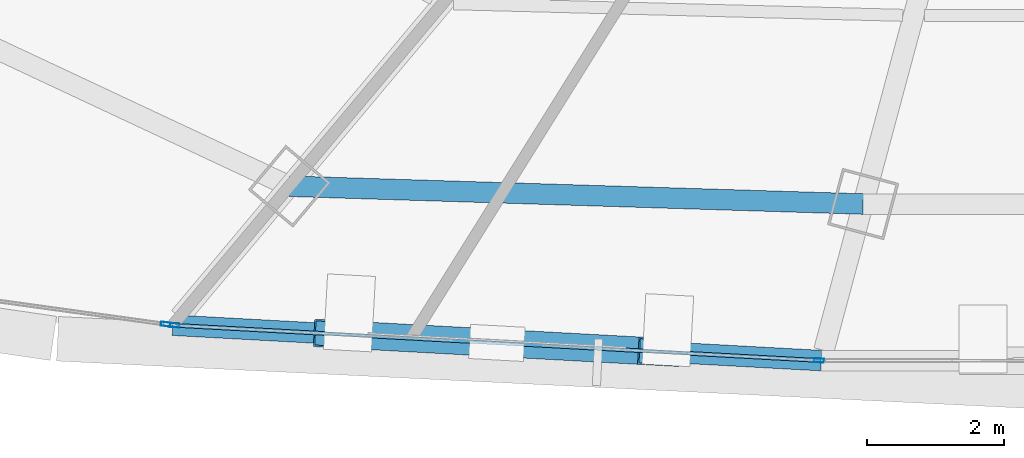
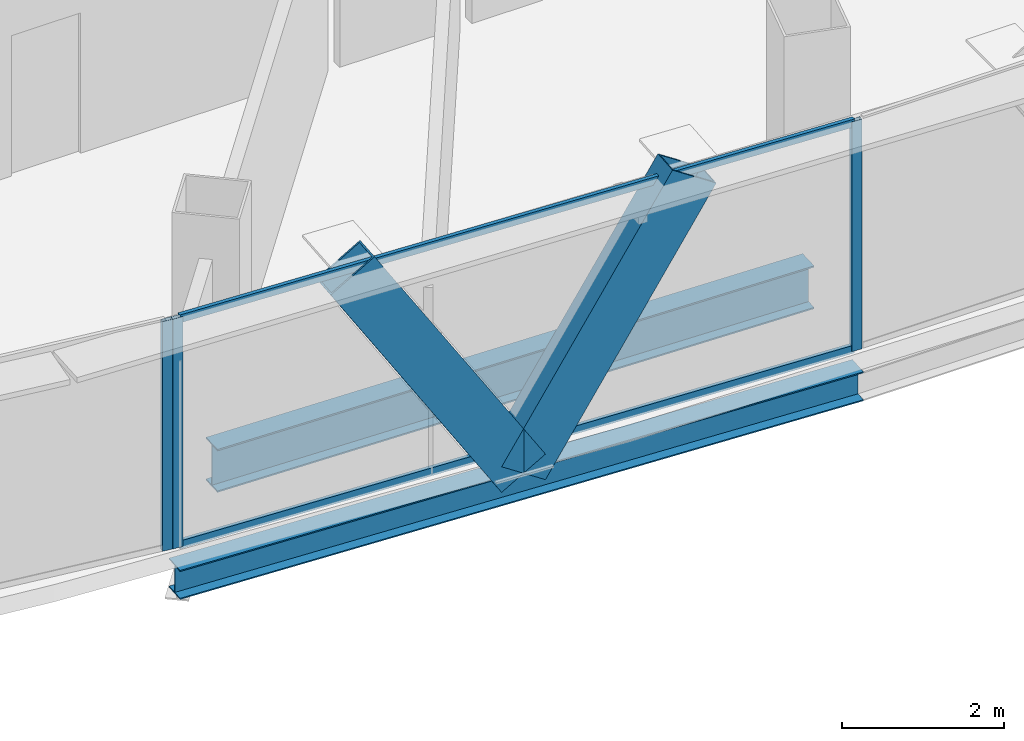
# One storey, part 6 of 36: 7 members, 2 beams, 2 elements without a shape of their own.
"""IFC4 building model written with IfcOpenShell, lengths in metres."""

from ifc_helpers import new_model, si_unit, direction, frame, origin, origin_2d, place, context, subcontext, project, spatial, hollow_rectangle, i_section, extrude, source, transform, mapped, material, layer, layer_set, material_profile, profile_set, type_object, element, aggregate, save


model = new_model("IFC4")

# Units and contexts
model_context = context("Model", 3, precision=1e-05, world=origin(), true_north=direction((0.0, 1.0)))
body_context = subcontext(model_context, "Body", "Model", "MODEL_VIEW")
ifc_project = project(units=[si_unit("LENGTHUNIT", "METRE"), si_unit("AREAUNIT", "SQUARE_METRE"), si_unit("VOLUMEUNIT", "CUBIC_METRE"), si_unit("PLANEANGLEUNIT", "RADIAN"), si_unit("MASSUNIT", "GRAM", prefix="KILO"), si_unit("THERMODYNAMICTEMPERATUREUNIT", "KELVIN"), si_unit("POWERUNIT", "WATT")], contexts=[model_context])

# Site, building, storey
site_placement = place(None, origin())
site = spatial("IfcSite", under=ifc_project, at=site_placement, CompositionType="ELEMENT")
building_placement = place(site_placement, origin())
building = spatial("IfcBuilding", under=site, at=building_placement, Name="Yunzhuo Pagoda Commons", CompositionType="ELEMENT")
storey_placement = place(building_placement, frame((0.0, 0.0, 248.260009765625)))
storey = spatial("IfcBuildingStorey", under=building, at=storey_placement, Name="L62", CompositionType="ELEMENT", Elevation=248.260009765625)

# Beams
ifc_material_1 = material(Name="Structural steel Q355B", Category="steel")
ifc_material_profile_1 = material_profile(ifc_material_1, i_section(OverallWidth=0.300048828125, OverallDepth=0.64990234375, WebThickness=0.012939453125, FlangeThickness=0.02197265625, at=origin_2d()), Name="Structural steel Q355B")
ifc_profile_set_1 = profile_set([ifc_material_profile_1], Name="Structural steel Q355B")
beam_type_1 = type_object("IfcBeamType", Name="B-RG2 Beam HN 650x300x13x22", PredefinedType="BEAM", material=ifc_profile_set_1)
shared_shape_1 = source(origin(), body_context, "Body", "SweptSolid", [
    extrude(i_section(OverallWidth=0.300048828125, OverallDepth=0.64990234375, WebThickness=0.012939453125, FlangeThickness=0.02197265625, at=origin_2d()), origin(), (0.0, 0.0, 1.0), 8.37939453125),
])
beam_1_placement = place(storey_placement, frame((35.593017578125, 18.913818359375, -0.5849609375), z_axis=(0.999519382133, -0.031000076447, 0.0), x_axis=(0.031000076447, 0.999519382133, 0.0)))
element("IfcBeam", 1, at=beam_1_placement, inside=storey, type_object=beam_type_1, Name="L62 column-ring beam 1", PredefinedType="BEAM", context=body_context, shape_type="MappedRepresentation", body=[
    mapped(shared_shape_1, transform((0.0, 0.0, 0.0), scale=1.0)),
])
ifc_material_profile_2 = material_profile(ifc_material_1, i_section(OverallWidth=0.300048828125, OverallDepth=0.43994140625, WebThickness=0.010986328125, FlangeThickness=0.01806640625, at=origin_2d()), Name="Structural steel Q355B")
ifc_profile_set_2 = profile_set([ifc_material_profile_2], Name="Structural steel Q355B")
beam_type_2 = type_object("IfcBeamType", Name="B-SP2 Beam HM 440x300x11x18", PredefinedType="BEAM", material=ifc_profile_set_2)
shared_shape_2 = source(origin(), body_context, "Body", "SweptSolid", [
    extrude(i_section(OverallWidth=0.300048828125, OverallDepth=0.43994140625, WebThickness=0.010986328125, FlangeThickness=0.01806640625, at=origin_2d()), origin(), (0.0, 0.0, 1.0), 9.4794921875),
])
beam_2_placement = place(storey_placement, frame((33.890869140625, 16.88525390625, -0.47998046875), z_axis=(0.998513924763, -0.054497174743, 0.0), x_axis=(0.054497174743, 0.998513924763, 0.0)))
element("IfcBeam", 2, at=beam_2_placement, inside=storey, type_object=beam_type_2, Name="L62 facade edge spandrel beam F1.1", PredefinedType="BEAM", context=body_context, shape_type="MappedRepresentation", body=[
    mapped(shared_shape_2, transform((0.0, 0.0, 0.0), scale=1.0)),
])

# Members
ifc_material_profile_3 = material_profile(ifc_material_1, hollow_rectangle(XDim=0.39990234375, YDim=0.719970703125, WallThickness=0.02392578125, at=origin_2d()), Name="Structural steel Q355B")
ifc_profile_set_3 = profile_set([ifc_material_profile_3], Name="Structural steel Q355B")
member_type_1 = type_object("IfcMemberType", Name="M-DL2 Brace BOX 720x400x24", PredefinedType="BRACE", material=ifc_profile_set_3)
shared_shape_3 = source(origin(), body_context, "Body", "SweptSolid", [
    extrude(hollow_rectangle(XDim=0.39990234375, YDim=0.719970703125, WallThickness=0.02392578125, at=origin_2d()), origin(), (0.0, 0.0, 1.0), 4.419189453125),
])
member_1_placement = place(storey_placement, frame((38.623291015625, 16.626953125, -0.260009765625), z_axis=(-0.535425810679, 0.029279372643, 0.844074593621), x_axis=(-0.054602695503, -0.998508160029, 0.0)))
element("IfcMember", 3, at=member_1_placement, inside=storey, type_object=member_type_1, Name="L62 facade diamond brace F1.1L", PredefinedType="BRACE", context=body_context, shape_type="MappedRepresentation", body=[
    mapped(shared_shape_3, transform((0.0, 0.0, 0.0), scale=1.0)),
])
shared_shape_4 = source(origin(), body_context, "Body", "SweptSolid", [
    extrude(hollow_rectangle(XDim=0.39990234375, YDim=0.719970703125, WallThickness=0.02392578125, at=origin_2d()), origin(), (0.0, 0.0, 1.0), 4.41943359375),
])
member_2_placement = place(storey_placement, frame((38.623291015625, 16.626953125, -0.260009765625), z_axis=(0.535466080863, -0.029223311336, 0.844050990355), x_axis=(0.05449437193, 0.998514077731, 0.0)))
element("IfcMember", 4, at=member_2_placement, inside=storey, type_object=member_type_1, Name="L62 facade diamond brace F1.1R", PredefinedType="BRACE", context=body_context, shape_type="MappedRepresentation", body=[
    mapped(shared_shape_4, transform((0.0, 0.0, 0.0), scale=1.0)),
])

# Curtain wall, members
ifc_material_2 = material(Name="Anodized aluminium 6063-T6", Category="aluminium")
ifc_layer = layer(ifc_material_2, 0.139892578125)
ifc_layer_set = layer_set([ifc_layer], Name="Anodized aluminium 6063-T6")
curtain_wall_type = type_object("IfcCurtainWallType", Name="CW-HI High-Zone Ribbon Curtain Wall", PredefinedType="NOTDEFINED", material=ifc_layer_set)
curtain_wall_1_placement = place(storey_placement, origin())
curtain_wall_1 = element("IfcCurtainWall", 5, at=curtain_wall_1_placement, inside=storey, type_object=curtain_wall_type, Name="L62 curtain wall CW-L62-F1B2", PredefinedType="NOTDEFINED")
ifc_material_profile_4 = material_profile(ifc_material_2, hollow_rectangle(XDim=0.06005859375, YDim=0.139892578125, WallThickness=0.00341796875, at=origin_2d()), Name="Anodized aluminium 6063-T6")
ifc_profile_set_4 = profile_set([ifc_material_profile_4], Name="Anodized aluminium 6063-T6")
member_type_2 = type_object("IfcMemberType", Name="CW-HI-M Mullion RHS 140x60x3.5", PredefinedType="MULLION", material=ifc_profile_set_4)
shared_shape_5 = source(origin(), body_context, "Body", "SweptSolid", [
    extrude(hollow_rectangle(XDim=0.06005859375, YDim=0.139892578125, WallThickness=0.00341796875, at=origin_2d()), origin(), (0.0, 0.0, 1.0), 3.47021484375),
])
member_3_placement = place(storey_placement, frame((33.920654296875, 16.883544921875, 0.0), z_axis=(0.0, 0.0, 1.0), x_axis=(0.054497194278, 0.998513923697, 0.0)))
member_3 = element("IfcMember", 6, at=member_3_placement, type_object=member_type_2, Name="CW mullion 1", PredefinedType="MULLION", context=body_context, shape_type="MappedRepresentation", body=[
    mapped(shared_shape_5, transform((0.0, 0.0, 0.0), scale=1.0)),
])
member_4_placement = place(storey_placement, frame((43.326171875, 16.370361328125, 0.0), z_axis=(0.0, 0.0, 1.0), x_axis=(0.054497194278, 0.998513923697, 0.0)))
member_4 = element("IfcMember", 7, at=member_4_placement, type_object=member_type_2, Name="CW mullion 2", PredefinedType="MULLION", context=body_context, shape_type="MappedRepresentation", body=[
    mapped(shared_shape_5, transform((0.0, 0.0, 0.0), scale=1.0)),
])

# Curtain wall, member
curtain_wall_2_placement = place(storey_placement, origin())
curtain_wall_2 = element("IfcCurtainWall", 8, at=curtain_wall_2_placement, inside=storey, type_object=curtain_wall_type, Name="L62 curtain wall CW-L62-F1B1", PredefinedType="NOTDEFINED")
member_5_placement = place(storey_placement, frame((33.786865234375, 16.899658203125, 0.0), z_axis=(0.0, 0.0, 1.0), x_axis=(0.137250412651, 0.990536382082, 0.0)))
member_5 = element("IfcMember", 9, at=member_5_placement, type_object=member_type_2, Name="CW mullion 2", PredefinedType="MULLION", context=body_context, shape_type="MappedRepresentation", body=[
    mapped(shared_shape_5, transform((0.0, 0.0, 0.0), scale=1.0)),
])
aggregate(curtain_wall_2, [member_5])

# Member
ifc_material_profile_5 = material_profile(ifc_material_2, hollow_rectangle(XDim=0.054931640625, YDim=0.1201171875, WallThickness=0.00341796875, at=origin_2d()), Name="Anodized aluminium 6063-T6")
ifc_profile_set_5 = profile_set([ifc_material_profile_5], Name="Anodized aluminium 6063-T6")
member_type_3 = type_object("IfcMemberType", Name="CW-HI-T Transom RHS 120x55x3.5", PredefinedType="USERDEFINED", material=ifc_profile_set_5)
shared_shape_6 = source(origin(), body_context, "Body", "SweptSolid", [
    extrude(hollow_rectangle(XDim=0.054931640625, YDim=0.1201171875, WallThickness=0.00341796875, at=origin_2d()), origin(), (0.0, 0.0, 1.0), 9.359375),
])
member_6_placement = place(storey_placement, frame((33.95068359375, 16.882080078125, 0.027587890625), z_axis=(0.998514211569, -0.054491919537, 0.0), x_axis=(0.054491919537, 0.998514211569, 0.0)))
member_6 = element("IfcMember", 10, at=member_6_placement, type_object=member_type_3, Name="CW transom 1.1", ObjectType="TRANSOM", PredefinedType="USERDEFINED", context=body_context, shape_type="MappedRepresentation", body=[
    mapped(shared_shape_6, transform((0.0, 0.0, 0.0), scale=1.0)),
])

member_7_placement = place(storey_placement, frame((33.95068359375, 16.882080078125, 3.4423828125), z_axis=(0.998514211569, -0.054491919537, 0.0), x_axis=(0.054491919537, 0.998514211569, 0.0)))
member_7 = element("IfcMember", 11, at=member_7_placement, type_object=member_type_3, Name="CW transom 1.2", ObjectType="TRANSOM", PredefinedType="USERDEFINED", context=body_context, shape_type="MappedRepresentation", body=[
    mapped(shared_shape_6, transform((0.0, 0.0, 0.0), scale=1.0)),
])

aggregate(curtain_wall_1, [member_3, member_4, member_6, member_7])

save(model, "model.ifc")
